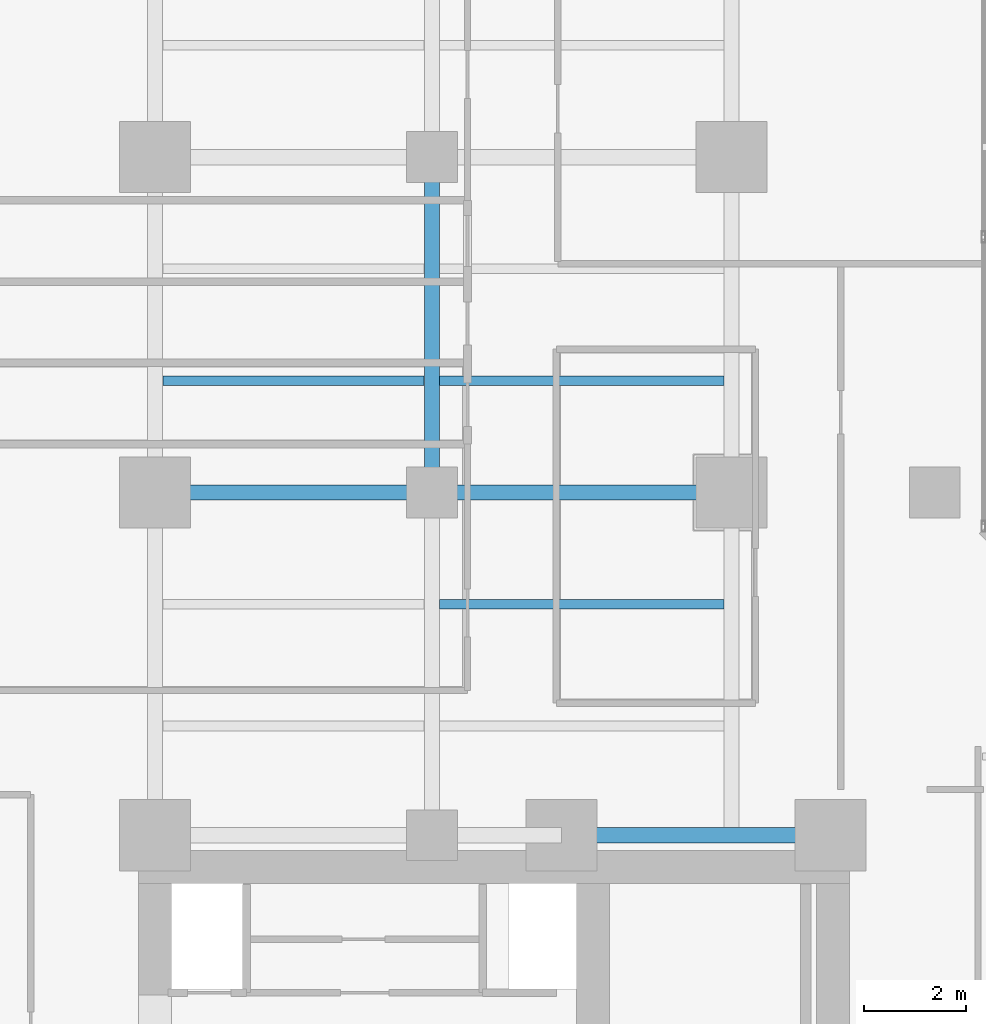
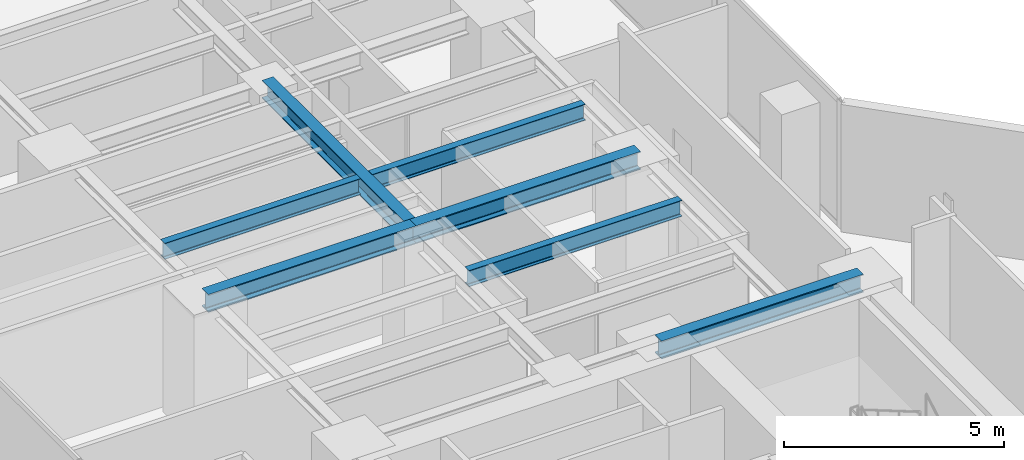
# One storey, part 9 of 28: 7 beams.
"""IFC4 building model written with IfcOpenShell, lengths in metres."""

from ifc_helpers import new_model, si_unit, direction, frame, origin, origin_2d, place, context, subcontext, project, spatial, i_section, extrude, material, material_profile, profile_set, type_object, element, save


model = new_model("IFC4")

# Units and contexts
model_context = context("Model", 3, precision=1e-05, world=origin(), true_north=direction((0.0, 1.0)))
body_context = subcontext(model_context, "Body", "Model", "MODEL_VIEW")
ifc_project = project(units=[si_unit("LENGTHUNIT", "METRE"), si_unit("AREAUNIT", "SQUARE_METRE"), si_unit("VOLUMEUNIT", "CUBIC_METRE"), si_unit("PLANEANGLEUNIT", "RADIAN"), si_unit("MASSUNIT", "GRAM", prefix="KILO")], contexts=[model_context])

# Site, building, storey
site_placement = place(None, origin())
site = spatial("IfcSite", under=ifc_project, at=site_placement, CompositionType="ELEMENT")
building_placement = place(site_placement, origin())
building = spatial("IfcBuilding", under=site, at=building_placement, Name="Kolvaren Waterfront Exchange", CompositionType="ELEMENT")
storey_placement = place(building_placement, frame((0.0, 0.0, 114.5)))
storey = spatial("IfcBuildingStorey", under=building, at=storey_placement, Name="L29", CompositionType="ELEMENT", Elevation=114.5)

# Beams
ifc_material = material(Name="Steel S355", Category="steel")
ifc_material_profile_1 = material_profile(ifc_material, i_section(OverallWidth=0.300048828125, OverallDepth=0.5, WebThickness=0.014404296875, FlangeThickness=0.028076171875, FilletRadius=0.027099609375, at=origin_2d()), Name="HEB500")
ifc_profile_set_1 = profile_set([ifc_material_profile_1], Name="Steel S355")
beam_type_1 = type_object("IfcBeamType", Name="STR-BM-HEB500", PredefinedType="BEAM", material=ifc_profile_set_1)
beam_1_placement = place(storey_placement, frame((15.449951171875, 24.449951171875, 3.2900390625), z_axis=(1.0, 0.0, 0.0), x_axis=(0.0, 1.0, 0.0)))
element("IfcBeam", 1, at=beam_1_placement, inside=storey, type_object=beam_type_1, Name="L29 north-arm girder 1C", PredefinedType="BEAM", context=body_context, shape_type="SweptSolid", body=[
    extrude(i_section(OverallWidth=0.300048828125, OverallDepth=0.5, WebThickness=0.014404296875, FlangeThickness=0.028076171875, FilletRadius=0.027099609375, at=origin_2d()), origin(), (0.0, 0.0, 1.0), 5.300048828125),
])
beam_2_placement = place(storey_placement, frame((7.449951171875, 31.199951171875, 3.2900390625), z_axis=(1.0, 0.0, 0.0), x_axis=(0.0, 1.0, 0.0)))
element("IfcBeam", 2, at=beam_2_placement, inside=storey, type_object=beam_type_1, Name="L29 north-arm girder 2A", PredefinedType="BEAM", context=body_context, shape_type="SweptSolid", body=[
    extrude(i_section(OverallWidth=0.300048828125, OverallDepth=0.5, WebThickness=0.014404296875, FlangeThickness=0.028076171875, FilletRadius=0.027099609375, at=origin_2d()), origin(), (0.0, 0.0, 1.0), 5.449951171875),
])
beam_3_placement = place(storey_placement, frame((12.89990234375, 31.199951171875, 3.2900390625), z_axis=(1.0, 0.0, 0.0), x_axis=(0.0, 1.0, 0.0)))
element("IfcBeam", 3, at=beam_3_placement, inside=storey, type_object=beam_type_1, Name="L29 north-arm girder 2B", PredefinedType="BEAM", context=body_context, shape_type="SweptSolid", body=[
    extrude(i_section(OverallWidth=0.300048828125, OverallDepth=0.5, WebThickness=0.014404296875, FlangeThickness=0.028076171875, FilletRadius=0.027099609375, at=origin_2d()), origin(), (0.0, 0.0, 1.0), 5.900146484375),
])
beam_4_placement = place(storey_placement, frame((12.89990234375, 31.199951171875, 3.2900390625), z_axis=(0.0, 1.0, 0.0), x_axis=(-1.0, 0.0, 0.0)))
element("IfcBeam", 4, at=beam_4_placement, inside=storey, type_object=beam_type_1, Name="L29 north-arm edge beam 2", PredefinedType="BEAM", context=body_context, shape_type="SweptSolid", body=[
    extrude(i_section(OverallWidth=0.300048828125, OverallDepth=0.5, WebThickness=0.014404296875, FlangeThickness=0.028076171875, FilletRadius=0.027099609375, at=origin_2d()), origin(), (0.0, 0.0, 1.0), 6.60009765625),
])
ifc_material_profile_2 = material_profile(ifc_material, i_section(OverallWidth=0.18994140625, OverallDepth=0.449951171875, WebThickness=0.009521484375, FlangeThickness=0.0146484375, FilletRadius=0.02099609375, at=origin_2d()), Name="IPE450")
ifc_profile_set_2 = profile_set([ifc_material_profile_2], Name="Steel S355")
beam_type_2 = type_object("IfcBeamType", Name="STR-BM-IPE450", PredefinedType="JOIST", material=ifc_profile_set_2)
beam_5_placement = place(storey_placement, frame((13.052001953125, 29.0, 3.31494140625), z_axis=(1.0, 0.0, 0.0), x_axis=(0.0, 1.0, 0.0)))
element("IfcBeam", 5, at=beam_5_placement, inside=storey, type_object=beam_type_2, Name="L29 north-arm composite joist 2B", PredefinedType="JOIST", context=body_context, shape_type="SweptSolid", body=[
    extrude(i_section(OverallWidth=0.18994140625, OverallDepth=0.449951171875, WebThickness=0.009521484375, FlangeThickness=0.0146484375, FilletRadius=0.02099609375, at=origin_2d()), origin(), (0.0, 0.0, 1.0), 5.595947265625),
])
beam_6_placement = place(storey_placement, frame((7.60205078125, 33.39990234375, 3.31494140625), z_axis=(1.0, 0.0, 0.0), x_axis=(0.0, 1.0, 0.0)))
element("IfcBeam", 6, at=beam_6_placement, inside=storey, type_object=beam_type_2, Name="L29 north-arm composite joist 3A", PredefinedType="JOIST", context=body_context, shape_type="SweptSolid", body=[
    extrude(i_section(OverallWidth=0.18994140625, OverallDepth=0.449951171875, WebThickness=0.009521484375, FlangeThickness=0.0146484375, FilletRadius=0.02099609375, at=origin_2d()), origin(), (0.0, 0.0, 1.0), 5.14599609375),
])
beam_7_placement = place(storey_placement, frame((13.052001953125, 33.39990234375, 3.31494140625), z_axis=(1.0, 0.0, 0.0), x_axis=(0.0, 1.0, 0.0)))
element("IfcBeam", 7, at=beam_7_placement, inside=storey, type_object=beam_type_2, Name="L29 north-arm composite joist 3B", PredefinedType="JOIST", context=body_context, shape_type="SweptSolid", body=[
    extrude(i_section(OverallWidth=0.18994140625, OverallDepth=0.449951171875, WebThickness=0.009521484375, FlangeThickness=0.0146484375, FilletRadius=0.02099609375, at=origin_2d()), origin(), (0.0, 0.0, 1.0), 5.595947265625),
])

save(model, "model.ifc")
